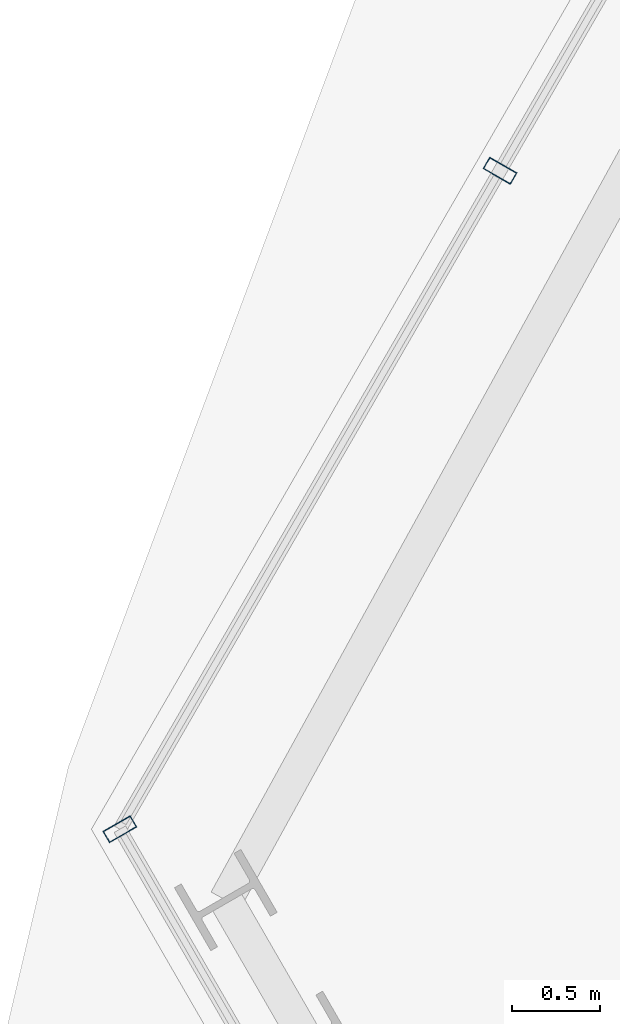
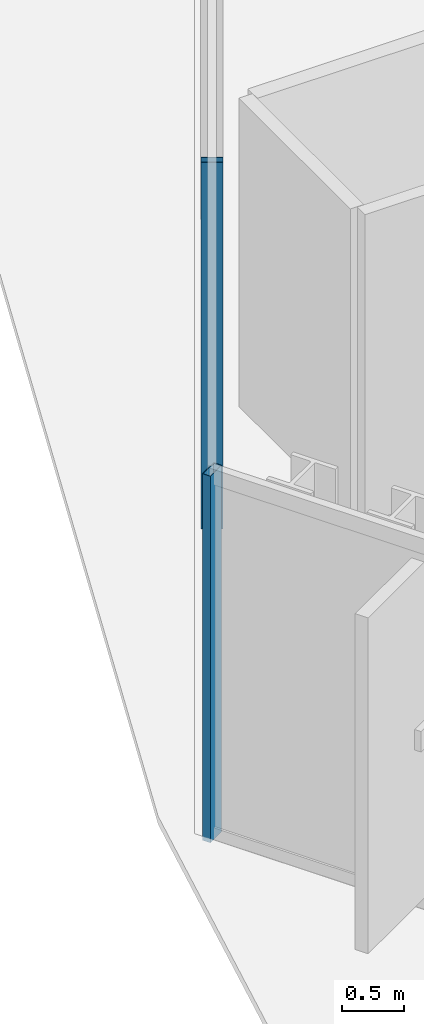
# One storey, part 4 of 37: 2 members, 2 elements without a shape of their own.
"""IFC4 building model written with IfcOpenShell, lengths in metres."""

from ifc_helpers import new_model, si_unit, direction, frame, origin, origin_2d, place, context, subcontext, project, spatial, hollow_rectangle, extrude, material, layer, layer_set, material_profile, profile_set, type_object, element, aggregate, save


model = new_model("IFC4")

# Units and contexts
model_context = context("Model", 3, precision=1e-05, world=origin(), true_north=direction((0.0, 1.0)))
body_context = subcontext(model_context, "Body", "Model", "MODEL_VIEW")
ifc_project = project(units=[si_unit("LENGTHUNIT", "METRE"), si_unit("AREAUNIT", "SQUARE_METRE"), si_unit("VOLUMEUNIT", "CUBIC_METRE"), si_unit("PLANEANGLEUNIT", "RADIAN"), si_unit("MASSUNIT", "GRAM", prefix="KILO")], contexts=[model_context])

# Site, building, storey
site_placement = place(None, origin())
site = spatial("IfcSite", under=ifc_project, at=site_placement, CompositionType="ELEMENT")
building_placement = place(site_placement, origin())
building = spatial("IfcBuilding", under=site, at=building_placement, Name="Ndaravel Arena Tower", CompositionType="ELEMENT")
storey_placement = place(building_placement, frame((0.0, 0.0, 218.0)))
storey = spatial("IfcBuildingStorey", under=building, at=storey_placement, Name="L52", CompositionType="ELEMENT", Elevation=218.0)

# Curtain wall, member
ifc_material_1 = material(Name="Aluminium", Category="aluminium")
ifc_layer_1 = layer(ifc_material_1, 0.179931640625)
ifc_layer_set_1 = layer_set([ifc_layer_1], Name="Aluminium")
curtain_wall_type_1 = type_object("IfcCurtainWallType", Name="CW-SYS-03", PredefinedType="NOTDEFINED", material=ifc_layer_set_1)
curtain_wall_1_placement = place(storey_placement, origin())
curtain_wall_1 = element("IfcCurtainWall", 1, at=curtain_wall_1_placement, inside=storey, type_object=curtain_wall_type_1, Name="L52 Faceted Crystal Curtain Wall CW-L52-E05", PredefinedType="NOTDEFINED")
ifc_material_2 = material(Name="Aluminium", Category="aluminium")
ifc_material_profile = material_profile(ifc_material_2, hollow_rectangle(XDim=0.074951171875, YDim=0.179931640625, WallThickness=0.00390625, at=origin_2d()), Name="CW MULLION 75x180x4")
ifc_profile_set = profile_set([ifc_material_profile], Name="Aluminium")
member_type = type_object("IfcMemberType", Name="MEM-CW-MUL180", PredefinedType="MULLION", material=ifc_profile_set)
member_1_placement = place(storey_placement, frame((20.82421875, 15.658203125, 0.0), z_axis=(0.0, 0.0, 1.0), x_axis=(-0.5, -0.866025403784, 0.0)))
member_1 = element("IfcMember", 2, at=member_1_placement, type_object=member_type, Name="CW-L52-E05 Mullion 08", PredefinedType="MULLION", context=body_context, shape_type="SweptSolid", body=[
    extrude(hollow_rectangle(XDim=0.074951171875, YDim=0.179931640625, WallThickness=0.00390625, at=origin_2d()), origin(), (0.0, 0.0, 1.0), 3.580078125),
])
aggregate(curtain_wall_1, [member_1])

ifc_material_3 = material(Name="Aluminium", Category="aluminium")
ifc_layer_2 = layer(ifc_material_3, 0.179931640625)
ifc_layer_set_2 = layer_set([ifc_layer_2], Name="Aluminium")
curtain_wall_type_2 = type_object("IfcCurtainWallType", Name="CW-SYS-02", PredefinedType="NOTDEFINED", material=ifc_layer_set_2)
curtain_wall_2_placement = place(storey_placement, origin())
curtain_wall_2 = element("IfcCurtainWall", 3, at=curtain_wall_2_placement, inside=storey, type_object=curtain_wall_type_2, Name="L52 Faceted Crystal Curtain Wall CW-L52-E06", PredefinedType="NOTDEFINED")
member_2_placement = place(storey_placement, frame((18.664794921875, 11.918212890625, 0.0), z_axis=(0.0, 0.0, 1.0), x_axis=(0.5, -0.866025403784, 0.0)))
member_2 = element("IfcMember", 4, at=member_2_placement, type_object=member_type, Name="CW-L52-E06 Mullion 00", PredefinedType="MULLION", context=body_context, shape_type="SweptSolid", body=[
    extrude(hollow_rectangle(XDim=0.074951171875, YDim=0.179931640625, WallThickness=0.00390625, at=origin_2d()), origin(), (0.0, 0.0, 1.0), 3.580078125),
])
aggregate(curtain_wall_2, [member_2])

save(model, "model.ifc")
